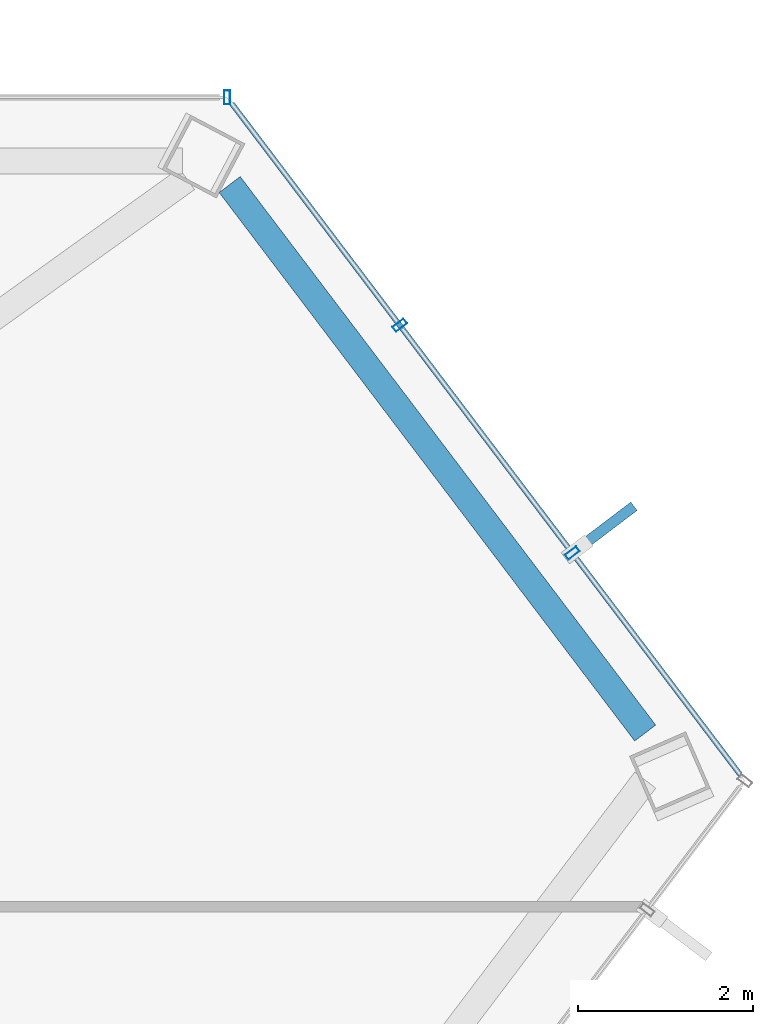
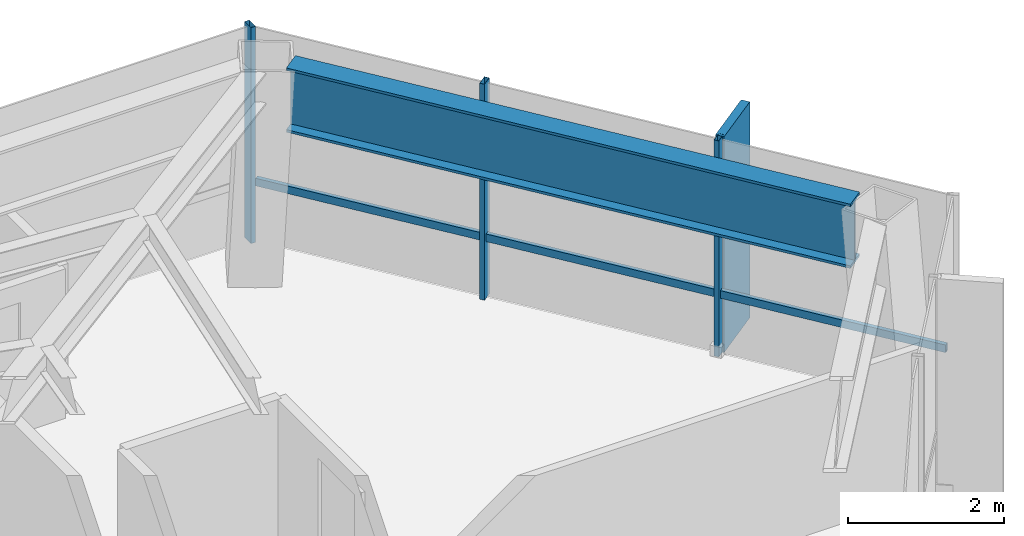
# One storey, part 23 of 28: 5 members, 1 beam, 2 elements without a shape of their own.
"""IFC4 building model written with IfcOpenShell, lengths in metres."""

from ifc_helpers import new_model, si_unit, direction, frame, origin, origin_2d, place, context, subcontext, project, spatial, rectangle, hollow_rectangle, i_section, extrude, material, layer, layer_set, material_profile, profile_set, type_object, element, aggregate, save


model = new_model("IFC4")

# Units and contexts
model_context = context("Model", 3, precision=1e-05, world=origin(), true_north=direction((0.0, 1.0)))
body_context = subcontext(model_context, "Body", "Model", "MODEL_VIEW")
ifc_project = project(units=[si_unit("LENGTHUNIT", "METRE"), si_unit("AREAUNIT", "SQUARE_METRE"), si_unit("VOLUMEUNIT", "CUBIC_METRE"), si_unit("PLANEANGLEUNIT", "RADIAN"), si_unit("MASSUNIT", "GRAM", prefix="KILO")], contexts=[model_context])

# Site, building, storey
site_placement = place(None, origin())
site = spatial("IfcSite", under=ifc_project, at=site_placement, CompositionType="ELEMENT")
building_placement = place(site_placement, origin())
building = spatial("IfcBuilding", under=site, at=building_placement, Name="Zarrinselat Tower", CompositionType="ELEMENT")
storey_placement = place(building_placement, frame((0.0, 0.0, 190.739990234375)))
storey = spatial("IfcBuildingStorey", under=building, at=storey_placement, Name="L47", CompositionType="ELEMENT", Elevation=190.739990234375)

# Beam
ifc_material_1 = material(Name="Steel S460M", Category="steel")
ifc_material_profile_1 = material_profile(ifc_material_1, i_section(OverallWidth=0.302001953125, OverallDepth=1.008056640625, WebThickness=0.02099609375, FlangeThickness=0.0400390625, at=origin_2d()), Name="HEM 1000")
ifc_profile_set_1 = profile_set([ifc_material_profile_1], Name="Steel S460M")
beam_type = type_object("IfcBeamType", Name="BM-HEM1000", PredefinedType="BEAM", material=ifc_profile_set_1)
beam_placement = place(storey_placement, frame((57.11181640625, 47.6083984375, 2.885986328125), z_axis=(0.603863659377, -0.797087624345, 0.0), x_axis=(0.797087624345, 0.603863659377, 0.0)))
element("IfcBeam", 1, at=beam_placement, inside=storey, type_object=beam_type, Name="L47 Perimeter Spandrel Girder SP15", PredefinedType="BEAM", context=body_context, shape_type="SweptSolid", body=[
    extrude(i_section(OverallWidth=0.302001953125, OverallDepth=1.008056640625, WebThickness=0.02099609375, FlangeThickness=0.0400390625, at=origin_2d()), origin(), (0.0, 0.0, 1.0), 7.87158203125),
])

# Curtain wall, member
ifc_material_2 = material(Name="Extruded Aluminium Alloy EN AW-6063 T6", Category="aluminium")
ifc_layer = layer(ifc_material_2, 0.175048828125)
ifc_layer_set = layer_set([ifc_layer], Name="Extruded Aluminium Alloy EN AW-6063 T6")
curtain_wall_type = type_object("IfcCurtainWallType", Name="CWS-HTL", PredefinedType="NOTDEFINED", material=ifc_layer_set)
curtain_wall_1_placement = place(storey_placement, origin())
curtain_wall_1 = element("IfcCurtainWall", 2, at=curtain_wall_1_placement, inside=storey, type_object=curtain_wall_type, Name="L47 Unitised Curtain Wall CW-L47-E01", PredefinedType="NOTDEFINED")
ifc_material_3 = material(Name="Extruded Aluminium Alloy EN AW-6063 T6", Category="aluminium")
ifc_material_profile_2 = material_profile(ifc_material_3, hollow_rectangle(XDim=0.070068359375, YDim=0.159912109375, WallThickness=0.00390625, at=origin_2d()), Name="RHS 160x70x4")
ifc_profile_set_2 = profile_set([ifc_material_profile_2], Name="Extruded Aluminium Alloy EN AW-6063 T6")
member_type_1 = type_object("IfcMemberType", Name="MEM-CW-MUL2", PredefinedType="MULLION", material=ifc_profile_set_2)
member_1_placement = place(storey_placement, frame((57.0830078125, 48.605712890625, 0.0), z_axis=(0.0, 0.0, 1.0), x_axis=(-1.0, 0.0, 0.0)))
member_1 = element("IfcMember", 3, at=member_1_placement, type_object=member_type_1, Name="CW-L47-E01 Mullion 0", PredefinedType="MULLION", context=body_context, shape_type="SweptSolid", body=[
    extrude(hollow_rectangle(XDim=0.070068359375, YDim=0.159912109375, WallThickness=0.00390625, at=origin_2d()), origin(), (0.0, 0.0, 1.0), 3.389892578125),
])
aggregate(curtain_wall_1, [member_1])

# Curtain wall, members
curtain_wall_2_placement = place(storey_placement, origin())
curtain_wall_2 = element("IfcCurtainWall", 4, at=curtain_wall_2_placement, inside=storey, type_object=curtain_wall_type, Name="L47 Unitised Curtain Wall CW-L47-E06", PredefinedType="NOTDEFINED")
member_2_placement = place(storey_placement, frame((61.03125, 43.393798828125, 0.0), z_axis=(0.0, 0.0, 1.0), x_axis=(-0.603861025256, 0.797089619916, 0.0)))
member_2 = element("IfcMember", 5, at=member_2_placement, type_object=member_type_1, Name="CW-L47-E06 Mullion 1", PredefinedType="MULLION", context=body_context, shape_type="SweptSolid", body=[
    extrude(hollow_rectangle(XDim=0.070068359375, YDim=0.159912109375, WallThickness=0.00390625, at=origin_2d()), origin(), (0.0, 0.0, 1.0), 3.389892578125),
])
member_3_placement = place(storey_placement, frame((59.05712890625, 45.999755859375, 0.0), z_axis=(0.0, 0.0, 1.0), x_axis=(-0.603861025256, 0.797089619916, 0.0)))
member_3 = element("IfcMember", 6, at=member_3_placement, type_object=member_type_1, Name="CW-L47-E06 Mullion 2", PredefinedType="MULLION", context=body_context, shape_type="SweptSolid", body=[
    extrude(hollow_rectangle(XDim=0.070068359375, YDim=0.159912109375, WallThickness=0.00390625, at=origin_2d()), origin(), (0.0, 0.0, 1.0), 3.389892578125),
])
ifc_material_4 = material(Name="Extruded Aluminium Alloy EN AW-6063 T6", Category="aluminium")
ifc_material_profile_3 = material_profile(ifc_material_4, hollow_rectangle(XDim=0.06005859375, YDim=0.1201171875, WallThickness=0.00390625, at=origin_2d()), Name="RHS 120x60x4")
ifc_profile_set_3 = profile_set([ifc_material_profile_3], Name="Extruded Aluminium Alloy EN AW-6063 T6")
member_type_2 = type_object("IfcMemberType", Name="MEM-CW-TRN2", PredefinedType="USERDEFINED", material=ifc_profile_set_3)
member_4_placement = place(storey_placement, frame((62.951171875, 40.85986328125, 0.949951171875), z_axis=(-0.603875752097, 0.797078462907, 0.0), x_axis=(-0.797078462907, -0.603875752097, 0.0)))
member_4 = element("IfcMember", 7, at=member_4_placement, type_object=member_type_2, Name="CW-L47-E06 Transom 1", ObjectType="TRANSOM", PredefinedType="USERDEFINED", context=body_context, shape_type="SweptSolid", body=[
    extrude(hollow_rectangle(XDim=0.06005859375, YDim=0.1201171875, WallThickness=0.00390625, at=origin_2d()), origin(), (0.0, 0.0, 1.0), 9.627685546875),
])
ifc_material_5 = material(Name="Honed Cream Travertine Stone", Category="masonry")
ifc_material_profile_4 = material_profile(ifc_material_5, rectangle(XDim=0.1201171875, YDim=0.85009765625, at=origin_2d()), Name="FIN 850x120")
ifc_profile_set_4 = profile_set([ifc_material_profile_4], Name="Honed Cream Travertine Stone")
member_type_3 = type_object("IfcMemberType", Name="MEM-STONE-FIN", PredefinedType="USERDEFINED", material=ifc_profile_set_4)
member_5_placement = place(storey_placement, frame((61.39794921875, 43.671630859375, 0.0), z_axis=(0.0, 0.0, 1.0), x_axis=(0.603861025256, -0.797089619916, 0.0)))
member_5 = element("IfcMember", 8, at=member_5_placement, type_object=member_type_3, Name="L47 Stone Shading Fin CW-L47-E06-01", ObjectType="FIN", PredefinedType="USERDEFINED", context=body_context, shape_type="SweptSolid", body=[
    extrude(rectangle(XDim=0.1201171875, YDim=0.85009765625, at=origin_2d()), origin(), (0.0, 0.0, 1.0), 3.389892578125),
])
aggregate(curtain_wall_2, [member_2, member_5, member_3, member_4])

save(model, "model.ifc")
